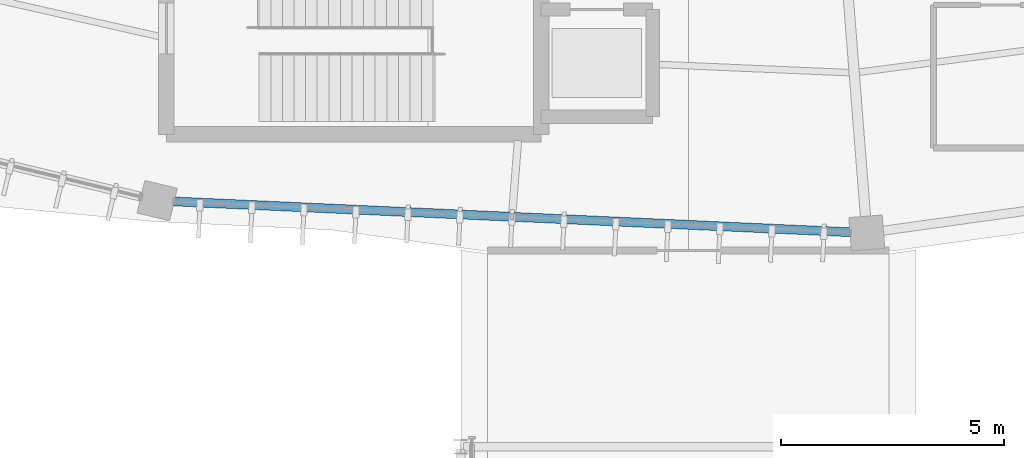
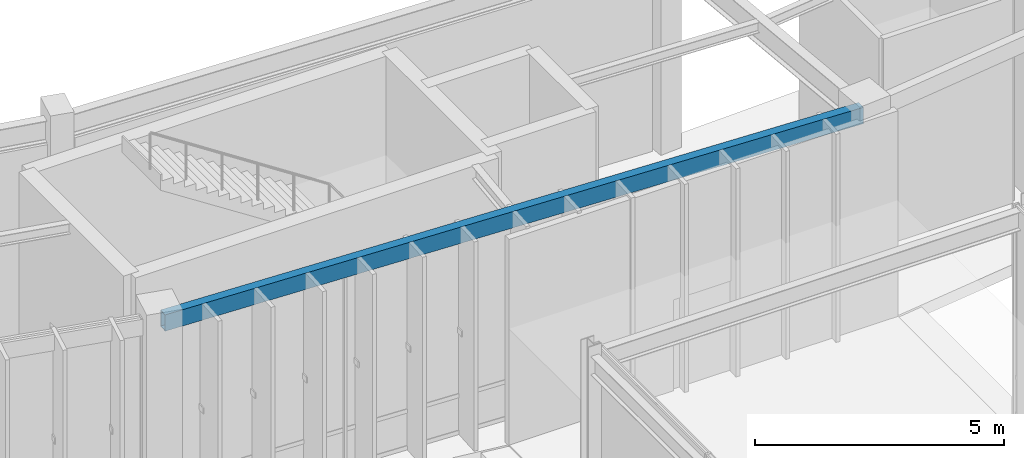
# One storey, part 36 of 157: 1 beam.
"""IFC4 building model written with IfcOpenShell, lengths in metres."""

from ifc_helpers import new_model, si_unit, direction, frame, origin, origin_2d, place, context, subcontext, project, spatial, hollow_rectangle, extrude, material, material_profile, profile_set, type_object, element, save


model = new_model("IFC4")

# Units and contexts
model_context = context("Model", 3, precision=1e-05, world=origin(), true_north=direction((0.0, 1.0)))
body_context = subcontext(model_context, "Body", "Model", "MODEL_VIEW")
ifc_project = project(units=[si_unit("LENGTHUNIT", "METRE"), si_unit("AREAUNIT", "SQUARE_METRE"), si_unit("VOLUMEUNIT", "CUBIC_METRE"), si_unit("PLANEANGLEUNIT", "RADIAN"), si_unit("MASSUNIT", "GRAM", prefix="KILO"), si_unit("THERMODYNAMICTEMPERATUREUNIT", "KELVIN"), si_unit("POWERUNIT", "WATT")], contexts=[model_context])

# Site, building, storey
site_placement = place(None, origin())
site = spatial("IfcSite", under=ifc_project, at=site_placement, CompositionType="ELEMENT")
building_placement = place(site_placement, origin())
building = spatial("IfcBuilding", under=site, at=building_placement, Name="Darbajah Civic Hall", CompositionType="ELEMENT")
storey_placement = place(building_placement, origin())
storey = spatial("IfcBuildingStorey", under=building, at=storey_placement, Name="L00", CompositionType="ELEMENT", Elevation=0.0)

# Beam
ifc_material = material(Name="Steel S355JR", Category="steel")
ifc_material_profile = material_profile(ifc_material, hollow_rectangle(XDim=0.199951171875, YDim=0.39990234375, WallThickness=0.013916015625, at=origin_2d()), Name="RHS 400x200x14")
ifc_profile_set = profile_set([ifc_material_profile], Name="Steel S355JR")
beam_type = type_object("IfcBeamType", Name="RHS 400x200x14", PredefinedType="SPANDREL", material=ifc_profile_set)
beam_placement = place(storey_placement, frame((77.274169921875, 61.111572265625, 4.919921875), z_axis=(0.998964928608, -0.04548704664, 0.0), x_axis=(0.04548704664, 0.998964928608, 0.0)))
element("IfcBeam", 1, at=beam_placement, inside=storey, type_object=beam_type, Name="L00 beam SP-RHS400", PredefinedType="SPANDREL", context=body_context, shape_type="SweptSolid", body=[
    extrude(hollow_rectangle(XDim=0.199951171875, YDim=0.39990234375, WallThickness=0.013916015625, at=origin_2d()), origin(), (0.0, 0.0, 1.0), 15.763671875),
])

save(model, "model.ifc")
